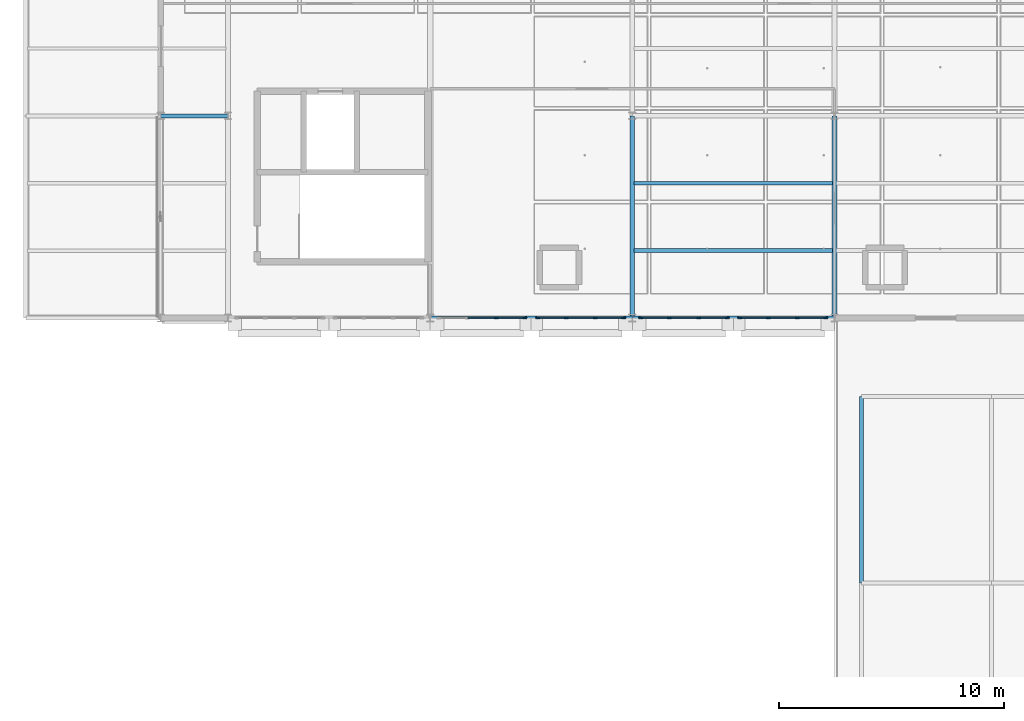
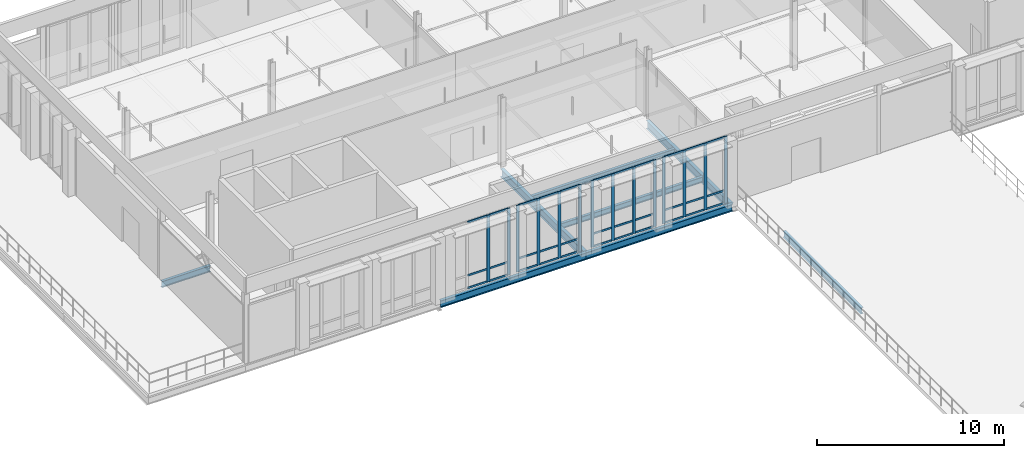
# One storey, part 23 of 89: 47 members, 8 beams, 4 elements without a shape of their own.
"""IFC4 building model written with IfcOpenShell, lengths in metres."""

import ifcopenshell
import ifcopenshell.guid

model = None  # the IFC model being written
_history = None  # IfcOwnerHistory: only IFC2X3 demands one
_inside = {}  # id of a spatial element -> (the spatial element, [elements in it])
_under = {}  # id of a project, library or spatial element -> (it, [spatial elements below it])
_declared = {}  # id of a project -> (the project, [libraries it declares])
_typed = {}  # id of a type object -> (the type object, [elements of that type])
_made_of = {}  # id of a material, layer set ... -> (it, [elements and type objects made of it])


def new_model(schema):
    """Start an empty IFC model of exactly this schema.

    Asked for "IFC4X3", IfcOpenShell would pick the latest addendum, in which some entities
    have other attributes; the version numbers below select the first issue.
    IFC2X3 requires an IfcOwnerHistory on every rooted entity: one is made here for all.
    """
    global model, _history
    if schema == "IFC4X3":
        model = ifcopenshell.file(schema_version=(4, 3, 0, 0))
    else:
        model = ifcopenshell.file(schema=schema)
    _inside.clear()
    _under.clear()
    _declared.clear()
    _typed.clear()
    _made_of.clear()
    _history = None
    if model.schema == "IFC2X3":
        org = make("IfcOrganization", Name="unknown")
        user = make(
            "IfcPersonAndOrganization",
            ThePerson=make("IfcPerson", FamilyName="unknown"),
            TheOrganization=org,
        )
        app = make(
            "IfcApplication",
            ApplicationDeveloper=org,
            Version="unknown",
            ApplicationFullName="unknown",
            ApplicationIdentifier="unknown",
        )
        _history = make(
            "IfcOwnerHistory",
            OwningUser=user,
            OwningApplication=app,
            ChangeAction="ADDED",
            CreationDate=0,
        )
    return model


def make(cls, **values):
    """One entity of the class cls with the attributes given. An attribute that is None is left unset."""
    return model.create_entity(
        cls, **{name: value for name, value in values.items() if value is not None}
    )


def rooted(cls, **values):
    """An entity with a GlobalId (a new one), such as an element, a storey or a relation."""
    return make(cls, GlobalId=ifcopenshell.guid.new(), OwnerHistory=_history, **values)


def si_unit(unit_type, name, prefix=None):
    """IfcSIUnit, for example si_unit("LENGTHUNIT", "METRE", prefix="MILLI")."""
    return make("IfcSIUnit", UnitType=unit_type, Prefix=prefix, Name=name)


def assignment(units):
    """IfcUnitAssignment: the units of a project."""
    return None if units is None else make("IfcUnitAssignment", Units=units)


def point(xyz):
    """IfcCartesianPoint."""
    return None if xyz is None else make("IfcCartesianPoint", Coordinates=xyz)


def direction(xyz):
    """IfcDirection."""
    return None if xyz is None else make("IfcDirection", DirectionRatios=xyz)


def frame(location, z_axis=None, x_axis=None):
    """IfcAxis2Placement3D, a coordinate frame: its origin and axes. An axis left out is left unset."""
    return make(
        "IfcAxis2Placement3D",
        Location=point(location),
        Axis=direction(z_axis),
        RefDirection=direction(x_axis),
    )


def frame_2d(location, x_axis=None):
    """IfcAxis2Placement2D, a coordinate frame in the plane: its origin and x axis."""
    return make(
        "IfcAxis2Placement2D", Location=point(location), RefDirection=direction(x_axis)
    )


def origin():
    """The frame at (0, 0, 0) with its axes left unset."""
    return frame((0.0, 0.0, 0.0))


def origin_2d():
    """The frame at (0, 0) in the plane with its x axis left unset."""
    return frame_2d((0.0, 0.0))


def place(relative_to, where):
    """IfcLocalPlacement: puts the frame where relative to a parent placement (None: the world)."""
    return make(
        "IfcLocalPlacement", PlacementRelTo=relative_to, RelativePlacement=where
    )


def context(
    kind, dimensions, precision=None, world=None, true_north=None, identifier=None
):
    """IfcGeometricRepresentationContext, for example the 3D "Model" context."""
    return make(
        "IfcGeometricRepresentationContext",
        ContextIdentifier=identifier,
        ContextType=kind,
        CoordinateSpaceDimension=dimensions,
        Precision=precision,
        WorldCoordinateSystem=world,
        TrueNorth=true_north,
    )


def subcontext(parent, identifier, kind, view, scale=None):
    """IfcGeometricRepresentationSubContext, for example "Body" below "Model"."""
    return make(
        "IfcGeometricRepresentationSubContext",
        ContextIdentifier=identifier,
        ContextType=kind,
        ParentContext=parent,
        TargetScale=scale,
        TargetView=view,
    )


def project(units=None, contexts=None):
    """IfcProject with its units and contexts."""
    return rooted(
        "IfcProject",
        Name="project",
        RepresentationContexts=contexts,
        UnitsInContext=assignment(units),
    )


def spatial(cls, under=None, at=None, **own):
    """A site, building, storey or space (cls), placed at a placement, below another one or the project."""
    s = rooted(cls, ObjectPlacement=at, **own)
    if under is not None:
        _under.setdefault(under.id(), (under, []))[1].append(s)
    return s


def profile(cls, at=None, kind="AREA", **sizes):
    """A parametric profile (cls). Its sizes go by their IFC names, for example OverallWidth=200.0."""
    return make(cls, ProfileType=kind, Position=at, **sizes)


def rectangle(**sizes):
    """IfcRectangleProfileDef."""
    return profile("IfcRectangleProfileDef", **sizes)


def i_section(**sizes):
    """IfcIShapeProfileDef."""
    return profile("IfcIShapeProfileDef", **sizes)


def extrude(swept, where, along, depth):
    """IfcExtrudedAreaSolid: the profile swept, set in the frame where, extruded along a direction by depth."""
    return make(
        "IfcExtrudedAreaSolid",
        SweptArea=swept,
        Position=where,
        ExtrudedDirection=direction(along),
        Depth=depth,
    )


def shape(context_of_items, identifier, shape_type, items):
    """IfcShapeRepresentation: the items that make up one representation, for example the "Body"."""
    return make(
        "IfcShapeRepresentation",
        ContextOfItems=context_of_items,
        RepresentationIdentifier=identifier,
        RepresentationType=shape_type,
        Items=items,
    )


def material(Name=None, Category=None):
    """IfcMaterial."""
    return make("IfcMaterial", Name=Name, Category=Category)


def material_profile(
    of_material, cross_section, Name=None, Category=None, Priority=None
):
    """IfcMaterialProfile: a cross section and its material."""
    return make(
        "IfcMaterialProfile",
        Name=Name,
        Material=of_material,
        Profile=cross_section,
        Priority=Priority,
        Category=Category,
    )


def profile_set(profiles, Name=None, composite=None):
    """IfcMaterialProfileSet."""
    return make(
        "IfcMaterialProfileSet",
        Name=Name,
        MaterialProfiles=profiles,
        CompositeProfile=composite,
    )


def made_of(thing, what):
    """Note that an element or type object is made of a material, layer set ...; save() writes the relation."""
    if what is not None:
        _made_of.setdefault(what.id(), (what, []))[1].append(thing)
    return thing


def type_object(cls, material=None, **own):
    """A type object (cls), such as IfcWallType, which elements share."""
    return made_of(rooted(cls, **own), material)


def element(
    cls,
    number,
    at=None,
    inside=None,
    cuts=None,
    type_object=None,
    material=None,
    context=None,
    identifier="Body",
    shape_type=None,
    held_by="IfcProductDefinitionShape",
    body=None,
    shapes=None,
    **own,
):
    """One element of the class cls, such as IfcWall. Its Tag is "e" and its number.

    at: its placement. inside: the storey or other place that contains it. cuts: it is an
    opening in that element (IfcRelVoidsElement). A single representation is given by context,
    identifier, shape_type and body (its items); several are given by shapes. held_by: the class
    of the entity that holds the representations. save() writes the other relations.
    """
    e = rooted(cls, Tag="e%d" % number, ObjectPlacement=at, **own)
    if body is not None:
        shapes = [shape(context, identifier, shape_type, body)]
    if shapes is not None:
        e.Representation = make(held_by, Representations=shapes)
    if inside is not None:
        _inside.setdefault(inside.id(), (inside, []))[1].append(e)
    if cuts is not None:
        rooted(
            "IfcRelVoidsElement", RelatingBuildingElement=cuts, RelatedOpeningElement=e
        )
    if type_object is not None:
        _typed.setdefault(type_object.id(), (type_object, []))[1].append(e)
    return made_of(e, material)


def aggregate(whole, parts):
    """IfcRelAggregates: a whole, such as a stair, and the parts it consists of."""
    return rooted("IfcRelAggregates", RelatingObject=whole, RelatedObjects=parts)


def save(model, path):
    """Write the relations noted so far, then the file.

    IfcRelAggregates (storeys below a building ...), IfcRelContainedInSpatialStructure (elements
    in a storey), IfcRelDefinesByType, IfcRelAssociatesMaterial and IfcRelDeclares: one each for
    every whole, place, type object, material and project.
    """
    for whole, parts in _under.values():
        aggregate(whole, parts)
    for where, things in _inside.values():
        rooted(
            "IfcRelContainedInSpatialStructure",
            RelatedElements=things,
            RelatingStructure=where,
        )
    for kind, things in _typed.values():
        rooted("IfcRelDefinesByType", RelatedObjects=things, RelatingType=kind)
    for what, things in _made_of.values():
        rooted("IfcRelAssociatesMaterial", RelatedObjects=things, RelatingMaterial=what)
    for by, libraries in _declared.values():
        rooted("IfcRelDeclares", RelatingContext=by, RelatedDefinitions=libraries)
    model.write(path)


model = new_model("IFC4")

# Units and contexts
model_context = context("Model", 3, precision=1e-05, world=origin(), true_north=direction((0.0, 1.0)))
body_context = subcontext(model_context, "Body", "Model", "MODEL_VIEW")
ifc_project = project(units=[si_unit("LENGTHUNIT", "METRE"), si_unit("AREAUNIT", "SQUARE_METRE"), si_unit("VOLUMEUNIT", "CUBIC_METRE"), si_unit("PLANEANGLEUNIT", "RADIAN"), si_unit("MASSUNIT", "GRAM", prefix="KILO"), si_unit("THERMODYNAMICTEMPERATUREUNIT", "KELVIN"), si_unit("POWERUNIT", "WATT")], contexts=[model_context])

# Site, building, storey
site_placement = place(None, origin())
site = spatial("IfcSite", under=ifc_project, at=site_placement, CompositionType="ELEMENT")
building_placement = place(site_placement, origin())
building = spatial("IfcBuilding", under=site, at=building_placement, Name="Tallowbark Science Centre", CompositionType="ELEMENT")
storey_placement = place(building_placement, frame((0.0, 0.0, 14.39990234375)))
storey = spatial("IfcBuildingStorey", under=building, at=storey_placement, Name="L03", CompositionType="ELEMENT", Elevation=14.39990234375)

# Beams
ifc_material_1 = material(Name="Structural Steel Grade 300PLUS (300 MPa)", Category="steel")
ifc_material_profile_1 = material_profile(ifc_material_1, i_section(OverallWidth=0.177734375, OverallDepth=0.406494140625, WebThickness=0.0078125, FlangeThickness=0.0126953125, FilletRadius=0.011474609375, at=origin_2d()), Name="410UB59.7")
ifc_profile_set_1 = profile_set([ifc_material_profile_1], Name="Structural Steel Grade 300PLUS (300 MPa)")
beam_type_1 = type_object("IfcBeamType", Name="BM-UB410", PredefinedType="BEAM", material=ifc_profile_set_1)
beam_1_placement = place(storey_placement, frame((69.0, 81.0, -0.383056640625), z_axis=(1.0, 0.0, 0.0), x_axis=(0.0, 1.0, 0.0)))
element("IfcBeam", 1, at=beam_1_placement, inside=storey, type_object=beam_type_1, Name="Primary Girder GRDX-L03-690-720-810", PredefinedType="BEAM", context=body_context, shape_type="SweptSolid", body=[
    extrude(i_section(OverallWidth=0.177734375, OverallDepth=0.406494140625, WebThickness=0.0078125, FlangeThickness=0.0126953125, FilletRadius=0.011474609375, at=origin_2d()), origin(), (0.0, 0.0, 1.0), 3.0),
])
beam_2_placement = place(storey_placement, frame((100.199951171875, 60.199951171875, -0.447998046875), z_axis=(0.0, 1.0, 0.0), x_axis=(-1.0, 0.0, 0.0)))
element("IfcBeam", 2, at=beam_2_placement, inside=storey, type_object=beam_type_1, Name="Primary Girder GRDY-L03-1002-602-685", PredefinedType="BEAM", context=body_context, shape_type="SweptSolid", body=[
    extrude(i_section(OverallWidth=0.177734375, OverallDepth=0.406494140625, WebThickness=0.0078125, FlangeThickness=0.0126953125, FilletRadius=0.011474609375, at=origin_2d()), origin(), (0.0, 0.0, 1.0), 8.300048828125),
])
ifc_material_profile_2 = material_profile(ifc_material_1, i_section(OverallWidth=0.208740234375, OverallDepth=0.5283203125, WebThickness=0.009521484375, FlangeThickness=0.01318359375, FilletRadius=0.013916015625, at=origin_2d()), Name="530UB82.0")
ifc_profile_set_2 = profile_set([ifc_material_profile_2], Name="Structural Steel Grade 300PLUS (300 MPa)")
beam_type_2 = type_object("IfcBeamType", Name="BM-UB530B", PredefinedType="BEAM", material=ifc_profile_set_2)
for number, where, z_axis, x_axis, name in (
    (3, (90.0, 72.0, -0.444091796875), (0.0, 1.0, 0.0), (-1.0, 0.0, 0.0), "Primary Girder GRDY-L03-900-720-810"),
    (4, (99.0, 72.0, -0.444091796875), (0.0, 1.0, 0.0), (-1.0, 0.0, 0.0), "Primary Girder GRDY-L03-990-720-810"),
):
    element("IfcBeam", number, at=place(storey_placement, frame(where, z_axis=z_axis, x_axis=x_axis)), inside=storey, type_object=beam_type_2, Name=name, PredefinedType="BEAM", context=body_context, shape_type="SweptSolid", body=[
        extrude(i_section(OverallWidth=0.208740234375, OverallDepth=0.5283203125, WebThickness=0.009521484375, FlangeThickness=0.01318359375, FilletRadius=0.013916015625, at=origin_2d()), origin(), (0.0, 0.0, 1.0), 9.0),
    ])

# Curtain wall, members
ifc_material_2 = material(Name="Unitised Thermally Broken Aluminium and Low-E Double Glazing", Category="aluminium")
curtain_wall_type = type_object("IfcCurtainWallType", Name="CW-SYS-FACADE", PredefinedType="NOTDEFINED", material=ifc_material_2)
curtain_wall_1_placement = place(storey_placement, origin())
curtain_wall_1 = element("IfcCurtainWall", 5, at=curtain_wall_1_placement, inside=storey, type_object=curtain_wall_type, Name="Unitised Curtain Wall LAB-S-81A CW-L03-078", PredefinedType="NOTDEFINED")
ifc_material_3 = material(Name="Anodised Architectural Aluminium Alloy 6063-T6", Category="aluminium")
ifc_material_profile_3 = material_profile(ifc_material_3, rectangle(XDim=0.06494140625, YDim=0.179931640625, at=origin_2d()), Name="ALU65x180")
ifc_profile_set_3 = profile_set([ifc_material_profile_3], Name="Anodised Architectural Aluminium Alloy 6063-T6")
member_type_1 = type_object("IfcMemberType", Name="CWM-MUL-220", PredefinedType="MULLION", material=ifc_profile_set_3)
member_1_placement = place(storey_placement, frame((83.949951171875, 72.0, 0.0), z_axis=(0.0, 0.0, 1.0), x_axis=(0.0, 1.0, 0.0)))
member_1 = element("IfcMember", 6, at=member_1_placement, type_object=member_type_1, Name="CW-01 mullion 3", PredefinedType="MULLION", context=body_context, shape_type="SweptSolid", body=[
    extrude(rectangle(XDim=0.06494140625, YDim=0.179931640625, at=origin_2d()), origin(), (0.0, 0.0, 1.0), 4.340087890625),
])
member_2_placement = place(storey_placement, frame((85.217529296875, 72.0, 0.0), z_axis=(0.0, 0.0, 1.0), x_axis=(0.0, 1.0, 0.0)))
member_2 = element("IfcMember", 7, at=member_2_placement, type_object=member_type_1, Name="CW-01 mullion 4", PredefinedType="MULLION", context=body_context, shape_type="SweptSolid", body=[
    extrude(rectangle(XDim=0.06494140625, YDim=0.179931640625, at=origin_2d()), origin(), (0.0, 0.0, 1.0), 4.340087890625),
])

curtain_wall_2_placement = place(storey_placement, origin())
curtain_wall_2 = element("IfcCurtainWall", 8, at=curtain_wall_2_placement, inside=storey, type_object=curtain_wall_type, Name="Unitised Curtain Wall LAB-S-81B CW-L03-079", PredefinedType="NOTDEFINED")
member_3_placement = place(storey_placement, frame((85.782470703125, 72.0, 0.0), z_axis=(0.0, 0.0, 1.0), x_axis=(0.0, 1.0, 0.0)))
member_3 = element("IfcMember", 9, at=member_3_placement, type_object=member_type_1, Name="CW-01 mullion 1", PredefinedType="MULLION", context=body_context, shape_type="SweptSolid", body=[
    extrude(rectangle(XDim=0.06494140625, YDim=0.179931640625, at=origin_2d()), origin(), (0.0, 0.0, 1.0), 4.340087890625),
])
member_4_placement = place(storey_placement, frame((87.050048828125, 72.0, 0.0), z_axis=(0.0, 0.0, 1.0), x_axis=(0.0, 1.0, 0.0)))
member_4 = element("IfcMember", 10, at=member_4_placement, type_object=member_type_1, Name="CW-01 mullion 2", PredefinedType="MULLION", context=body_context, shape_type="SweptSolid", body=[
    extrude(rectangle(XDim=0.06494140625, YDim=0.179931640625, at=origin_2d()), origin(), (0.0, 0.0, 1.0), 4.340087890625),
])
member_5_placement = place(storey_placement, frame((88.35009765625, 72.0, 0.0), z_axis=(0.0, 0.0, 1.0), x_axis=(0.0, 1.0, 0.0)))
member_5 = element("IfcMember", 11, at=member_5_placement, type_object=member_type_1, Name="CW-01 mullion 3", PredefinedType="MULLION", context=body_context, shape_type="SweptSolid", body=[
    extrude(rectangle(XDim=0.06494140625, YDim=0.179931640625, at=origin_2d()), origin(), (0.0, 0.0, 1.0), 4.340087890625),
])
member_6_placement = place(storey_placement, frame((89.617431640625, 72.0, 0.0), z_axis=(0.0, 0.0, 1.0), x_axis=(0.0, 1.0, 0.0)))
member_6 = element("IfcMember", 12, at=member_6_placement, type_object=member_type_1, Name="CW-01 mullion 4", PredefinedType="MULLION", context=body_context, shape_type="SweptSolid", body=[
    extrude(rectangle(XDim=0.06494140625, YDim=0.179931640625, at=origin_2d()), origin(), (0.0, 0.0, 1.0), 4.340087890625),
])

curtain_wall_3_placement = place(storey_placement, origin())
curtain_wall_3 = element("IfcCurtainWall", 13, at=curtain_wall_3_placement, inside=storey, type_object=curtain_wall_type, Name="Unitised Curtain Wall LAB-S-90A CW-L03-080", PredefinedType="NOTDEFINED")
member_7_placement = place(storey_placement, frame((90.382568359375, 72.0, 0.0), z_axis=(0.0, 0.0, 1.0), x_axis=(0.0, 1.0, 0.0)))
member_7 = element("IfcMember", 14, at=member_7_placement, type_object=member_type_1, Name="CW-01 mullion 1", PredefinedType="MULLION", context=body_context, shape_type="SweptSolid", body=[
    extrude(rectangle(XDim=0.06494140625, YDim=0.179931640625, at=origin_2d()), origin(), (0.0, 0.0, 1.0), 4.340087890625),
])
member_8_placement = place(storey_placement, frame((91.64990234375, 72.0, 0.0), z_axis=(0.0, 0.0, 1.0), x_axis=(0.0, 1.0, 0.0)))
member_8 = element("IfcMember", 15, at=member_8_placement, type_object=member_type_1, Name="CW-01 mullion 2", PredefinedType="MULLION", context=body_context, shape_type="SweptSolid", body=[
    extrude(rectangle(XDim=0.06494140625, YDim=0.179931640625, at=origin_2d()), origin(), (0.0, 0.0, 1.0), 4.340087890625),
])
member_9_placement = place(storey_placement, frame((92.949951171875, 72.0, 0.0), z_axis=(0.0, 0.0, 1.0), x_axis=(0.0, 1.0, 0.0)))
member_9 = element("IfcMember", 16, at=member_9_placement, type_object=member_type_1, Name="CW-01 mullion 3", PredefinedType="MULLION", context=body_context, shape_type="SweptSolid", body=[
    extrude(rectangle(XDim=0.06494140625, YDim=0.179931640625, at=origin_2d()), origin(), (0.0, 0.0, 1.0), 4.340087890625),
])
member_10_placement = place(storey_placement, frame((94.217529296875, 72.0, 0.0), z_axis=(0.0, 0.0, 1.0), x_axis=(0.0, 1.0, 0.0)))
member_10 = element("IfcMember", 17, at=member_10_placement, type_object=member_type_1, Name="CW-01 mullion 4", PredefinedType="MULLION", context=body_context, shape_type="SweptSolid", body=[
    extrude(rectangle(XDim=0.06494140625, YDim=0.179931640625, at=origin_2d()), origin(), (0.0, 0.0, 1.0), 4.340087890625),
])

curtain_wall_4_placement = place(storey_placement, origin())
curtain_wall_4 = element("IfcCurtainWall", 18, at=curtain_wall_4_placement, inside=storey, type_object=curtain_wall_type, Name="Unitised Curtain Wall LAB-S-90B CW-L03-081", PredefinedType="NOTDEFINED")
member_11_placement = place(storey_placement, frame((94.782470703125, 72.0, 0.0), z_axis=(0.0, 0.0, 1.0), x_axis=(0.0, 1.0, 0.0)))
member_11 = element("IfcMember", 19, at=member_11_placement, type_object=member_type_1, Name="CW-01 mullion 1", PredefinedType="MULLION", context=body_context, shape_type="SweptSolid", body=[
    extrude(rectangle(XDim=0.06494140625, YDim=0.179931640625, at=origin_2d()), origin(), (0.0, 0.0, 1.0), 4.340087890625),
])
member_12_placement = place(storey_placement, frame((96.050048828125, 72.0, 0.0), z_axis=(0.0, 0.0, 1.0), x_axis=(0.0, 1.0, 0.0)))
member_12 = element("IfcMember", 20, at=member_12_placement, type_object=member_type_1, Name="CW-01 mullion 2", PredefinedType="MULLION", context=body_context, shape_type="SweptSolid", body=[
    extrude(rectangle(XDim=0.06494140625, YDim=0.179931640625, at=origin_2d()), origin(), (0.0, 0.0, 1.0), 4.340087890625),
])
member_13_placement = place(storey_placement, frame((97.35009765625, 72.0, 0.0), z_axis=(0.0, 0.0, 1.0), x_axis=(0.0, 1.0, 0.0)))
member_13 = element("IfcMember", 21, at=member_13_placement, type_object=member_type_1, Name="CW-01 mullion 3", PredefinedType="MULLION", context=body_context, shape_type="SweptSolid", body=[
    extrude(rectangle(XDim=0.06494140625, YDim=0.179931640625, at=origin_2d()), origin(), (0.0, 0.0, 1.0), 4.340087890625),
])
member_14_placement = place(storey_placement, frame((98.617431640625, 72.0, 0.0), z_axis=(0.0, 0.0, 1.0), x_axis=(0.0, 1.0, 0.0)))
member_14 = element("IfcMember", 22, at=member_14_placement, type_object=member_type_1, Name="CW-01 mullion 4", PredefinedType="MULLION", context=body_context, shape_type="SweptSolid", body=[
    extrude(rectangle(XDim=0.06494140625, YDim=0.179931640625, at=origin_2d()), origin(), (0.0, 0.0, 1.0), 4.340087890625),
])

# Member
ifc_material_profile_4 = material_profile(ifc_material_3, rectangle(XDim=0.054931640625, YDim=0.1201171875, at=origin_2d()), Name="ALU55x120")
ifc_profile_set_4 = profile_set([ifc_material_profile_4], Name="Anodised Architectural Aluminium Alloy 6063-T6")
member_type_2 = type_object("IfcMemberType", Name="CWM-TRN-150", PredefinedType="USERDEFINED", material=ifc_profile_set_4)
member_15_placement = place(storey_placement, frame((82.6826171875, 72.0, 0.027587890625), z_axis=(1.0, 0.0, 0.0), x_axis=(0.0, 1.0, 0.0)))
member_15 = element("IfcMember", 23, at=member_15_placement, type_object=member_type_2, Name="CW-01 transom 2.1", ObjectType="TRANSOM", PredefinedType="USERDEFINED", context=body_context, shape_type="SweptSolid", body=[
    extrude(rectangle(XDim=0.054931640625, YDim=0.1201171875, at=origin_2d()), origin(), (0.0, 0.0, 1.0), 1.23486328125),
])

member_16_placement = place(storey_placement, frame((82.6826171875, 72.0, 0.85009765625), z_axis=(1.0, 0.0, 0.0), x_axis=(0.0, 1.0, 0.0)))
member_16 = element("IfcMember", 24, at=member_16_placement, type_object=member_type_2, Name="CW-01 transom 2.2", ObjectType="TRANSOM", PredefinedType="USERDEFINED", context=body_context, shape_type="SweptSolid", body=[
    extrude(rectangle(XDim=0.054931640625, YDim=0.1201171875, at=origin_2d()), origin(), (0.0, 0.0, 1.0), 1.23486328125),
])

member_17_placement = place(storey_placement, frame((82.6826171875, 72.0, 4.3125), z_axis=(1.0, 0.0, 0.0), x_axis=(0.0, 1.0, 0.0)))
member_17 = element("IfcMember", 25, at=member_17_placement, type_object=member_type_2, Name="CW-01 transom 2.3", ObjectType="TRANSOM", PredefinedType="USERDEFINED", context=body_context, shape_type="SweptSolid", body=[
    extrude(rectangle(XDim=0.054931640625, YDim=0.1201171875, at=origin_2d()), origin(), (0.0, 0.0, 1.0), 1.23486328125),
])

member_18_placement = place(storey_placement, frame((83.982421875, 72.0, 0.027587890625), z_axis=(1.0, 0.0, 0.0), x_axis=(0.0, 1.0, 0.0)))
member_18 = element("IfcMember", 26, at=member_18_placement, type_object=member_type_2, Name="CW-01 transom 3.1", ObjectType="TRANSOM", PredefinedType="USERDEFINED", context=body_context, shape_type="SweptSolid", body=[
    extrude(rectangle(XDim=0.054931640625, YDim=0.1201171875, at=origin_2d()), origin(), (0.0, 0.0, 1.0), 1.20263671875),
])

member_19_placement = place(storey_placement, frame((83.982421875, 72.0, 0.85009765625), z_axis=(1.0, 0.0, 0.0), x_axis=(0.0, 1.0, 0.0)))
member_19 = element("IfcMember", 27, at=member_19_placement, type_object=member_type_2, Name="CW-01 transom 3.2", ObjectType="TRANSOM", PredefinedType="USERDEFINED", context=body_context, shape_type="SweptSolid", body=[
    extrude(rectangle(XDim=0.054931640625, YDim=0.1201171875, at=origin_2d()), origin(), (0.0, 0.0, 1.0), 1.20263671875),
])

member_20_placement = place(storey_placement, frame((83.982421875, 72.0, 4.3125), z_axis=(1.0, 0.0, 0.0), x_axis=(0.0, 1.0, 0.0)))
member_20 = element("IfcMember", 28, at=member_20_placement, type_object=member_type_2, Name="CW-01 transom 3.3", ObjectType="TRANSOM", PredefinedType="USERDEFINED", context=body_context, shape_type="SweptSolid", body=[
    extrude(rectangle(XDim=0.054931640625, YDim=0.1201171875, at=origin_2d()), origin(), (0.0, 0.0, 1.0), 1.20263671875),
])

aggregate(curtain_wall_1, [member_1, member_2, member_15, member_16, member_17, member_18, member_19, member_20])

member_21_placement = place(storey_placement, frame((85.81494140625, 72.0, 0.027587890625), z_axis=(1.0, 0.0, 0.0), x_axis=(0.0, 1.0, 0.0)))
member_21 = element("IfcMember", 29, at=member_21_placement, type_object=member_type_2, Name="CW-01 transom 1.1", ObjectType="TRANSOM", PredefinedType="USERDEFINED", context=body_context, shape_type="SweptSolid", body=[
    extrude(rectangle(XDim=0.054931640625, YDim=0.1201171875, at=origin_2d()), origin(), (0.0, 0.0, 1.0), 1.20263671875),
])

member_22_placement = place(storey_placement, frame((85.81494140625, 72.0, 0.85009765625), z_axis=(1.0, 0.0, 0.0), x_axis=(0.0, 1.0, 0.0)))
member_22 = element("IfcMember", 30, at=member_22_placement, type_object=member_type_2, Name="CW-01 transom 1.2", ObjectType="TRANSOM", PredefinedType="USERDEFINED", context=body_context, shape_type="SweptSolid", body=[
    extrude(rectangle(XDim=0.054931640625, YDim=0.1201171875, at=origin_2d()), origin(), (0.0, 0.0, 1.0), 1.20263671875),
])

member_23_placement = place(storey_placement, frame((85.81494140625, 72.0, 4.3125), z_axis=(1.0, 0.0, 0.0), x_axis=(0.0, 1.0, 0.0)))
member_23 = element("IfcMember", 31, at=member_23_placement, type_object=member_type_2, Name="CW-01 transom 1.3", ObjectType="TRANSOM", PredefinedType="USERDEFINED", context=body_context, shape_type="SweptSolid", body=[
    extrude(rectangle(XDim=0.054931640625, YDim=0.1201171875, at=origin_2d()), origin(), (0.0, 0.0, 1.0), 1.20263671875),
])

member_24_placement = place(storey_placement, frame((87.08251953125, 72.0, 0.027587890625), z_axis=(1.0, 0.0, 0.0), x_axis=(0.0, 1.0, 0.0)))
member_24 = element("IfcMember", 32, at=member_24_placement, type_object=member_type_2, Name="CW-01 transom 2.1", ObjectType="TRANSOM", PredefinedType="USERDEFINED", context=body_context, shape_type="SweptSolid", body=[
    extrude(rectangle(XDim=0.054931640625, YDim=0.1201171875, at=origin_2d()), origin(), (0.0, 0.0, 1.0), 1.23486328125),
])

member_25_placement = place(storey_placement, frame((87.08251953125, 72.0, 0.85009765625), z_axis=(1.0, 0.0, 0.0), x_axis=(0.0, 1.0, 0.0)))
member_25 = element("IfcMember", 33, at=member_25_placement, type_object=member_type_2, Name="CW-01 transom 2.2", ObjectType="TRANSOM", PredefinedType="USERDEFINED", context=body_context, shape_type="SweptSolid", body=[
    extrude(rectangle(XDim=0.054931640625, YDim=0.1201171875, at=origin_2d()), origin(), (0.0, 0.0, 1.0), 1.23486328125),
])

member_26_placement = place(storey_placement, frame((87.08251953125, 72.0, 4.3125), z_axis=(1.0, 0.0, 0.0), x_axis=(0.0, 1.0, 0.0)))
member_26 = element("IfcMember", 34, at=member_26_placement, type_object=member_type_2, Name="CW-01 transom 2.3", ObjectType="TRANSOM", PredefinedType="USERDEFINED", context=body_context, shape_type="SweptSolid", body=[
    extrude(rectangle(XDim=0.054931640625, YDim=0.1201171875, at=origin_2d()), origin(), (0.0, 0.0, 1.0), 1.23486328125),
])

member_27_placement = place(storey_placement, frame((88.382568359375, 72.0, 0.027587890625), z_axis=(1.0, 0.0, 0.0), x_axis=(0.0, 1.0, 0.0)))
member_27 = element("IfcMember", 35, at=member_27_placement, type_object=member_type_2, Name="CW-01 transom 3.1", ObjectType="TRANSOM", PredefinedType="USERDEFINED", context=body_context, shape_type="SweptSolid", body=[
    extrude(rectangle(XDim=0.054931640625, YDim=0.1201171875, at=origin_2d()), origin(), (0.0, 0.0, 1.0), 1.202392578125),
])

member_28_placement = place(storey_placement, frame((88.382568359375, 72.0, 0.85009765625), z_axis=(1.0, 0.0, 0.0), x_axis=(0.0, 1.0, 0.0)))
member_28 = element("IfcMember", 36, at=member_28_placement, type_object=member_type_2, Name="CW-01 transom 3.2", ObjectType="TRANSOM", PredefinedType="USERDEFINED", context=body_context, shape_type="SweptSolid", body=[
    extrude(rectangle(XDim=0.054931640625, YDim=0.1201171875, at=origin_2d()), origin(), (0.0, 0.0, 1.0), 1.202392578125),
])

member_29_placement = place(storey_placement, frame((88.382568359375, 72.0, 4.3125), z_axis=(1.0, 0.0, 0.0), x_axis=(0.0, 1.0, 0.0)))
member_29 = element("IfcMember", 37, at=member_29_placement, type_object=member_type_2, Name="CW-01 transom 3.3", ObjectType="TRANSOM", PredefinedType="USERDEFINED", context=body_context, shape_type="SweptSolid", body=[
    extrude(rectangle(XDim=0.054931640625, YDim=0.1201171875, at=origin_2d()), origin(), (0.0, 0.0, 1.0), 1.202392578125),
])

aggregate(curtain_wall_2, [member_3, member_4, member_5, member_6, member_21, member_22, member_23, member_24, member_25, member_26, member_27, member_28, member_29])

member_30_placement = place(storey_placement, frame((90.4150390625, 72.0, 0.027587890625), z_axis=(1.0, 0.0, 0.0), x_axis=(0.0, 1.0, 0.0)))
member_30 = element("IfcMember", 38, at=member_30_placement, type_object=member_type_2, Name="CW-01 transom 1.1", ObjectType="TRANSOM", PredefinedType="USERDEFINED", context=body_context, shape_type="SweptSolid", body=[
    extrude(rectangle(XDim=0.054931640625, YDim=0.1201171875, at=origin_2d()), origin(), (0.0, 0.0, 1.0), 1.202392578125),
])

member_31_placement = place(storey_placement, frame((90.4150390625, 72.0, 0.85009765625), z_axis=(1.0, 0.0, 0.0), x_axis=(0.0, 1.0, 0.0)))
member_31 = element("IfcMember", 39, at=member_31_placement, type_object=member_type_2, Name="CW-01 transom 1.2", ObjectType="TRANSOM", PredefinedType="USERDEFINED", context=body_context, shape_type="SweptSolid", body=[
    extrude(rectangle(XDim=0.054931640625, YDim=0.1201171875, at=origin_2d()), origin(), (0.0, 0.0, 1.0), 1.202392578125),
])

member_32_placement = place(storey_placement, frame((90.4150390625, 72.0, 4.3125), z_axis=(1.0, 0.0, 0.0), x_axis=(0.0, 1.0, 0.0)))
member_32 = element("IfcMember", 40, at=member_32_placement, type_object=member_type_2, Name="CW-01 transom 1.3", ObjectType="TRANSOM", PredefinedType="USERDEFINED", context=body_context, shape_type="SweptSolid", body=[
    extrude(rectangle(XDim=0.054931640625, YDim=0.1201171875, at=origin_2d()), origin(), (0.0, 0.0, 1.0), 1.202392578125),
])

member_33_placement = place(storey_placement, frame((91.6826171875, 72.0, 0.027587890625), z_axis=(1.0, 0.0, 0.0), x_axis=(0.0, 1.0, 0.0)))
member_33 = element("IfcMember", 41, at=member_33_placement, type_object=member_type_2, Name="CW-01 transom 2.1", ObjectType="TRANSOM", PredefinedType="USERDEFINED", context=body_context, shape_type="SweptSolid", body=[
    extrude(rectangle(XDim=0.054931640625, YDim=0.1201171875, at=origin_2d()), origin(), (0.0, 0.0, 1.0), 1.23486328125),
])

member_34_placement = place(storey_placement, frame((91.6826171875, 72.0, 0.85009765625), z_axis=(1.0, 0.0, 0.0), x_axis=(0.0, 1.0, 0.0)))
member_34 = element("IfcMember", 42, at=member_34_placement, type_object=member_type_2, Name="CW-01 transom 2.2", ObjectType="TRANSOM", PredefinedType="USERDEFINED", context=body_context, shape_type="SweptSolid", body=[
    extrude(rectangle(XDim=0.054931640625, YDim=0.1201171875, at=origin_2d()), origin(), (0.0, 0.0, 1.0), 1.23486328125),
])

member_35_placement = place(storey_placement, frame((91.6826171875, 72.0, 4.3125), z_axis=(1.0, 0.0, 0.0), x_axis=(0.0, 1.0, 0.0)))
member_35 = element("IfcMember", 43, at=member_35_placement, type_object=member_type_2, Name="CW-01 transom 2.3", ObjectType="TRANSOM", PredefinedType="USERDEFINED", context=body_context, shape_type="SweptSolid", body=[
    extrude(rectangle(XDim=0.054931640625, YDim=0.1201171875, at=origin_2d()), origin(), (0.0, 0.0, 1.0), 1.23486328125),
])

member_36_placement = place(storey_placement, frame((92.982421875, 72.0, 0.027587890625), z_axis=(1.0, 0.0, 0.0), x_axis=(0.0, 1.0, 0.0)))
member_36 = element("IfcMember", 44, at=member_36_placement, type_object=member_type_2, Name="CW-01 transom 3.1", ObjectType="TRANSOM", PredefinedType="USERDEFINED", context=body_context, shape_type="SweptSolid", body=[
    extrude(rectangle(XDim=0.054931640625, YDim=0.1201171875, at=origin_2d()), origin(), (0.0, 0.0, 1.0), 1.20263671875),
])

member_37_placement = place(storey_placement, frame((92.982421875, 72.0, 0.85009765625), z_axis=(1.0, 0.0, 0.0), x_axis=(0.0, 1.0, 0.0)))
member_37 = element("IfcMember", 45, at=member_37_placement, type_object=member_type_2, Name="CW-01 transom 3.2", ObjectType="TRANSOM", PredefinedType="USERDEFINED", context=body_context, shape_type="SweptSolid", body=[
    extrude(rectangle(XDim=0.054931640625, YDim=0.1201171875, at=origin_2d()), origin(), (0.0, 0.0, 1.0), 1.20263671875),
])

member_38_placement = place(storey_placement, frame((92.982421875, 72.0, 4.3125), z_axis=(1.0, 0.0, 0.0), x_axis=(0.0, 1.0, 0.0)))
member_38 = element("IfcMember", 46, at=member_38_placement, type_object=member_type_2, Name="CW-01 transom 3.3", ObjectType="TRANSOM", PredefinedType="USERDEFINED", context=body_context, shape_type="SweptSolid", body=[
    extrude(rectangle(XDim=0.054931640625, YDim=0.1201171875, at=origin_2d()), origin(), (0.0, 0.0, 1.0), 1.20263671875),
])

aggregate(curtain_wall_3, [member_7, member_8, member_9, member_10, member_30, member_31, member_32, member_33, member_34, member_35, member_36, member_37, member_38])

member_39_placement = place(storey_placement, frame((94.81494140625, 72.0, 0.027587890625), z_axis=(1.0, 0.0, 0.0), x_axis=(0.0, 1.0, 0.0)))
member_39 = element("IfcMember", 47, at=member_39_placement, type_object=member_type_2, Name="CW-01 transom 1.1", ObjectType="TRANSOM", PredefinedType="USERDEFINED", context=body_context, shape_type="SweptSolid", body=[
    extrude(rectangle(XDim=0.054931640625, YDim=0.1201171875, at=origin_2d()), origin(), (0.0, 0.0, 1.0), 1.20263671875),
])

member_40_placement = place(storey_placement, frame((94.81494140625, 72.0, 0.85009765625), z_axis=(1.0, 0.0, 0.0), x_axis=(0.0, 1.0, 0.0)))
member_40 = element("IfcMember", 48, at=member_40_placement, type_object=member_type_2, Name="CW-01 transom 1.2", ObjectType="TRANSOM", PredefinedType="USERDEFINED", context=body_context, shape_type="SweptSolid", body=[
    extrude(rectangle(XDim=0.054931640625, YDim=0.1201171875, at=origin_2d()), origin(), (0.0, 0.0, 1.0), 1.20263671875),
])

member_41_placement = place(storey_placement, frame((94.81494140625, 72.0, 4.3125), z_axis=(1.0, 0.0, 0.0), x_axis=(0.0, 1.0, 0.0)))
member_41 = element("IfcMember", 49, at=member_41_placement, type_object=member_type_2, Name="CW-01 transom 1.3", ObjectType="TRANSOM", PredefinedType="USERDEFINED", context=body_context, shape_type="SweptSolid", body=[
    extrude(rectangle(XDim=0.054931640625, YDim=0.1201171875, at=origin_2d()), origin(), (0.0, 0.0, 1.0), 1.20263671875),
])

member_42_placement = place(storey_placement, frame((96.08251953125, 72.0, 0.027587890625), z_axis=(1.0, 0.0, 0.0), x_axis=(0.0, 1.0, 0.0)))
member_42 = element("IfcMember", 50, at=member_42_placement, type_object=member_type_2, Name="CW-01 transom 2.1", ObjectType="TRANSOM", PredefinedType="USERDEFINED", context=body_context, shape_type="SweptSolid", body=[
    extrude(rectangle(XDim=0.054931640625, YDim=0.1201171875, at=origin_2d()), origin(), (0.0, 0.0, 1.0), 1.23486328125),
])

member_43_placement = place(storey_placement, frame((96.08251953125, 72.0, 0.85009765625), z_axis=(1.0, 0.0, 0.0), x_axis=(0.0, 1.0, 0.0)))
member_43 = element("IfcMember", 51, at=member_43_placement, type_object=member_type_2, Name="CW-01 transom 2.2", ObjectType="TRANSOM", PredefinedType="USERDEFINED", context=body_context, shape_type="SweptSolid", body=[
    extrude(rectangle(XDim=0.054931640625, YDim=0.1201171875, at=origin_2d()), origin(), (0.0, 0.0, 1.0), 1.23486328125),
])

member_44_placement = place(storey_placement, frame((96.08251953125, 72.0, 4.3125), z_axis=(1.0, 0.0, 0.0), x_axis=(0.0, 1.0, 0.0)))
member_44 = element("IfcMember", 52, at=member_44_placement, type_object=member_type_2, Name="CW-01 transom 2.3", ObjectType="TRANSOM", PredefinedType="USERDEFINED", context=body_context, shape_type="SweptSolid", body=[
    extrude(rectangle(XDim=0.054931640625, YDim=0.1201171875, at=origin_2d()), origin(), (0.0, 0.0, 1.0), 1.23486328125),
])

member_45_placement = place(storey_placement, frame((97.382568359375, 72.0, 0.027587890625), z_axis=(1.0, 0.0, 0.0), x_axis=(0.0, 1.0, 0.0)))
member_45 = element("IfcMember", 53, at=member_45_placement, type_object=member_type_2, Name="CW-01 transom 3.1", ObjectType="TRANSOM", PredefinedType="USERDEFINED", context=body_context, shape_type="SweptSolid", body=[
    extrude(rectangle(XDim=0.054931640625, YDim=0.1201171875, at=origin_2d()), origin(), (0.0, 0.0, 1.0), 1.202392578125),
])

member_46_placement = place(storey_placement, frame((97.382568359375, 72.0, 0.85009765625), z_axis=(1.0, 0.0, 0.0), x_axis=(0.0, 1.0, 0.0)))
member_46 = element("IfcMember", 54, at=member_46_placement, type_object=member_type_2, Name="CW-01 transom 3.2", ObjectType="TRANSOM", PredefinedType="USERDEFINED", context=body_context, shape_type="SweptSolid", body=[
    extrude(rectangle(XDim=0.054931640625, YDim=0.1201171875, at=origin_2d()), origin(), (0.0, 0.0, 1.0), 1.202392578125),
])

member_47_placement = place(storey_placement, frame((97.382568359375, 72.0, 4.3125), z_axis=(1.0, 0.0, 0.0), x_axis=(0.0, 1.0, 0.0)))
member_47 = element("IfcMember", 55, at=member_47_placement, type_object=member_type_2, Name="CW-01 transom 3.3", ObjectType="TRANSOM", PredefinedType="USERDEFINED", context=body_context, shape_type="SweptSolid", body=[
    extrude(rectangle(XDim=0.054931640625, YDim=0.1201171875, at=origin_2d()), origin(), (0.0, 0.0, 1.0), 1.202392578125),
])

aggregate(curtain_wall_4, [member_11, member_12, member_13, member_14, member_39, member_40, member_41, member_42, member_43, member_44, member_45, member_46, member_47])

# Beams
ifc_material_profile_5 = material_profile(ifc_material_1, i_section(OverallWidth=0.172119140625, OverallDepth=0.358642578125, WebThickness=0.008056640625, FlangeThickness=0.012939453125, FilletRadius=0.011474609375, at=origin_2d()), Name="360UB56.7")
ifc_profile_set_5 = profile_set([ifc_material_profile_5], Name="Structural Steel Grade 300PLUS (300 MPa)")
beam_type_3 = type_object("IfcBeamType", Name="JST-UB360", PredefinedType="JOIST", material=ifc_profile_set_5)
for number, where, z_axis, x_axis, name in (
    (56, (90.0849609375, 75.0, -0.359130859375), (1.0, 0.0, 0.0), (0.0, 1.0, 0.0), "Composite Floor Joist JSTX-L03-900-750"),
    (57, (90.0849609375, 78.0, -0.359130859375), (1.0, 0.0, 0.0), (0.0, 1.0, 0.0), "Composite Floor Joist JSTX-L03-900-780"),
):
    element("IfcBeam", number, at=place(storey_placement, frame(where, z_axis=z_axis, x_axis=x_axis)), inside=storey, type_object=beam_type_3, Name=name, PredefinedType="JOIST", context=body_context, shape_type="SweptSolid", body=[
        extrude(i_section(OverallWidth=0.172119140625, OverallDepth=0.358642578125, WebThickness=0.008056640625, FlangeThickness=0.012939453125, FilletRadius=0.011474609375, at=origin_2d()), origin(), (0.0, 0.0, 1.0), 8.830078125),
    ])
ifc_material_profile_6 = material_profile(ifc_material_1, i_section(OverallWidth=0.18994140625, OverallDepth=0.453857421875, WebThickness=0.008544921875, FlangeThickness=0.0126953125, FilletRadius=0.011474609375, at=origin_2d()), Name="460UB67.1")
ifc_profile_set_6 = profile_set([ifc_material_profile_6], Name="Structural Steel Grade 300PLUS (300 MPa)")
beam_type_4 = type_object("IfcBeamType", Name="SPN-UB460", PredefinedType="SPANDREL", material=ifc_profile_set_6)
for number, where, z_axis, x_axis, name in (
    (58, (81.0, 72.0, -0.40673828125), (1.0, 0.0, 0.0), (0.0, 1.0, 0.0), "Primary Girder GRDX-L03-810-900-720"),
    (59, (90.0, 72.0, -0.40673828125), (1.0, 0.0, 0.0), (0.0, 1.0, 0.0), "Primary Girder GRDX-L03-900-990-720"),
):
    element("IfcBeam", number, at=place(storey_placement, frame(where, z_axis=z_axis, x_axis=x_axis)), inside=storey, type_object=beam_type_4, Name=name, PredefinedType="SPANDREL", context=body_context, shape_type="SweptSolid", body=[
        extrude(i_section(OverallWidth=0.18994140625, OverallDepth=0.453857421875, WebThickness=0.008544921875, FlangeThickness=0.0126953125, FilletRadius=0.011474609375, at=origin_2d()), origin(), (0.0, 0.0, 1.0), 9.0),
    ])

save(model, "model.ifc")
